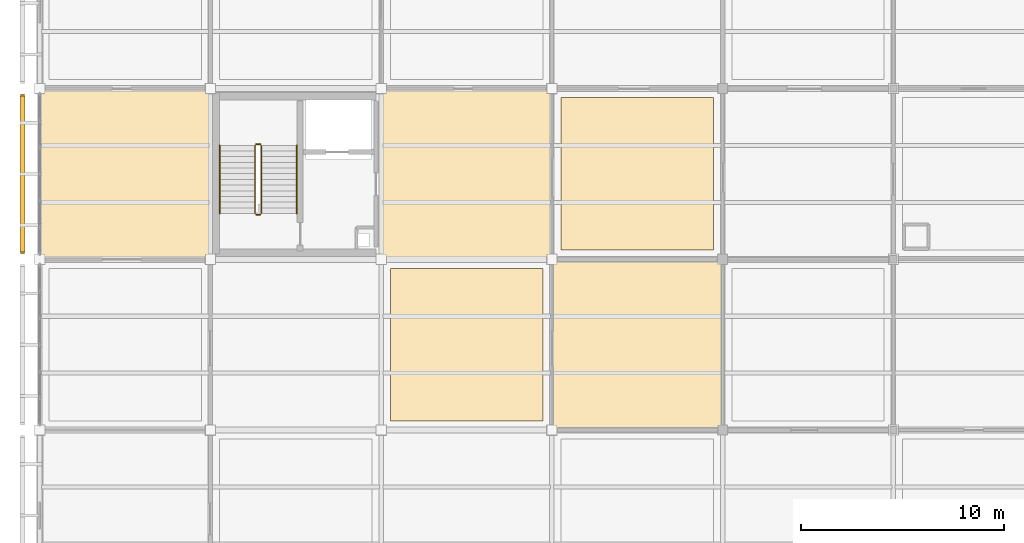
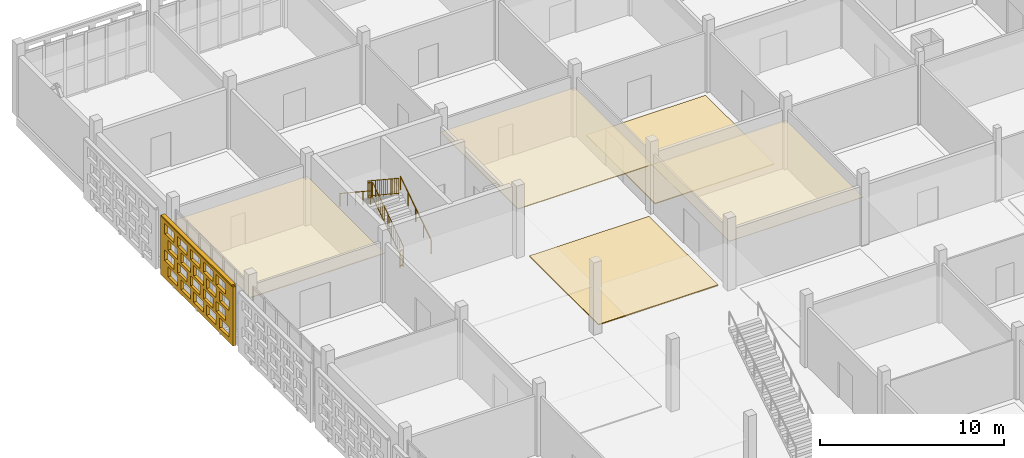
# One storey, part 162 of 203: 6 coverings, 6 railings, 1 shading device, 20 openings.
"""IFC4 building model written with IfcOpenShell, lengths in metres."""

from ifc_helpers import new_model, si_unit, direction, frame, frame_2d, origin, origin_2d, place, context, subcontext, project, spatial, rectangle, circle, extrude, material, layer, layer_set, type_object, element, save


model = new_model("IFC4")

# Units and contexts
model_context = context("Model", 3, precision=1e-05, world=origin(), true_north=direction((0.0, 1.0)))
body_context = subcontext(model_context, "Body", "Model", "MODEL_VIEW")
ifc_project = project(units=[si_unit("LENGTHUNIT", "METRE"), si_unit("AREAUNIT", "SQUARE_METRE"), si_unit("VOLUMEUNIT", "CUBIC_METRE"), si_unit("PLANEANGLEUNIT", "RADIAN"), si_unit("MASSUNIT", "GRAM", prefix="KILO")], contexts=[model_context])

# Site, building, storey
site_placement = place(None, origin())
site = spatial("IfcSite", under=ifc_project, at=site_placement, CompositionType="ELEMENT")
building_placement = place(site_placement, origin())
building = spatial("IfcBuilding", under=site, at=building_placement, Name="Varnapada Polytechnic", CompositionType="ELEMENT")
storey_placement = place(building_placement, frame((0.0, 0.0, 4.800048828125)))
storey = spatial("IfcBuildingStorey", under=building, at=storey_placement, Name="L01", CompositionType="ELEMENT", Elevation=4.800048828125)

# Coverings
ifc_material_1 = material(Name="Anti-Static Raised Laboratory Flooring")
ifc_layer_1 = layer(ifc_material_1, 0.06005859375)
ifc_layer_set_1 = layer_set([ifc_layer_1], Name="Anti-Static Raised Laboratory Flooring")
covering_type_1 = type_object("IfcCoveringType", Name="Floor Finish FLR-02", PredefinedType="FLOORING", material=ifc_layer_set_1)
covering_1_placement = place(storey_placement, frame((21.0, 96.60009765625, 0.0), z_axis=(0.0, 0.0, 1.0), x_axis=(1.0, 0.0, 0.0)))
element("IfcCovering", 1, at=covering_1_placement, inside=storey, type_object=covering_type_1, Name="L01 floor finish panel (3,12)", PredefinedType="FLOORING", context=body_context, shape_type="SweptSolid", body=[
    extrude(rectangle(XDim=7.5, YDim=7.5, at=origin_2d()), origin(), (0.0, 0.0, 1.0), 0.06005859375),
])
ifc_material_2 = material(Name="End-Grain Timber Studio Block Flooring", Category="wood")
ifc_layer_2 = layer(ifc_material_2, 0.054931640625)
ifc_layer_set_2 = layer_set([ifc_layer_2], Name="End-Grain Timber Studio Block Flooring")
covering_type_2 = type_object("IfcCoveringType", Name="Floor Finish FLR-04", PredefinedType="FLOORING", material=ifc_layer_set_2)
covering_2_placement = place(storey_placement, frame((29.39990234375, 105.0, 0.0), z_axis=(0.0, 0.0, 1.0), x_axis=(1.0, 0.0, 0.0)))
element("IfcCovering", 2, at=covering_2_placement, inside=storey, type_object=covering_type_2, Name="L01 floor finish panel (4,13)", PredefinedType="FLOORING", context=body_context, shape_type="SweptSolid", body=[
    extrude(rectangle(XDim=7.5, YDim=7.5, at=origin_2d()), origin(), (0.0, 0.0, 1.0), 0.054931640625),
])

# Railings
ifc_material_3 = material(Name="Brushed Stainless Steel 316", Category="steel")
railing_type_1 = type_object("IfcRailingType", Name="Stair Wall Handrail SHR-01", PredefinedType="HANDRAIL", material=ifc_material_3)
railing_1_placement = place(storey_placement, frame((12.64990234375, 103.050048828125, 0.1845703125)))
element("IfcRailing", 3, at=railing_1_placement, inside=storey, type_object=railing_type_1, Name="L01 ST-1 stair handrail 1", PredefinedType="HANDRAIL", context=body_context, shape_type="SweptSolid", body=[
    extrude(circle(Radius=0.02392578125, at=origin_2d()), frame((0.0, 0.0, 0.8759765625), z_axis=(0.0, 0.834858096282, 0.550465220583), x_axis=(-1.0, 0.0, 0.0)), (0.0, 0.0, 1.0), 4.0244140625),
    extrude(circle(Radius=0.02099609375, at=origin_2d()), origin(), (0.0, 0.0, 1.0), 0.851806640625),
    extrude(circle(Radius=0.02099609375, at=origin_2d()), frame((0.0, 0.83984375, 0.5537109375)), (0.0, 0.0, 1.0), 0.851806640625),
    extrude(circle(Radius=0.02099609375, at=origin_2d()), frame((0.0, 1.679931640625, 1.107666015625)), (0.0, 0.0, 1.0), 0.851806640625),
    extrude(circle(Radius=0.02099609375, at=origin_2d()), frame((0.0, 2.52001953125, 1.66162109375)), (0.0, 0.0, 1.0), 0.851806640625),
    extrude(circle(Radius=0.02099609375, at=origin_2d()), frame((0.0, 3.35986328125, 2.21533203125)), (0.0, 0.0, 1.0), 0.851806640625),
])
railing_2_placement = place(storey_placement, frame((8.85009765625, 106.409912109375, 2.58447265625)))
element("IfcRailing", 4, at=railing_2_placement, inside=storey, type_object=railing_type_1, Name="L01 ST-1 stair handrail 2", PredefinedType="HANDRAIL", context=body_context, shape_type="SweptSolid", body=[
    extrude(circle(Radius=0.02392578125, at=origin_2d()), frame((0.0, 0.0, 0.8759765625), z_axis=(0.0, -0.83483021737, 0.550507500554), x_axis=(1.0, 0.0, 0.0)), (0.0, 0.0, 1.0), 4.024658203125),
    extrude(circle(Radius=0.02099609375, at=origin_2d()), origin(), (0.0, 0.0, 1.0), 0.851806640625),
    extrude(circle(Radius=0.02099609375, at=origin_2d()), frame((0.0, -0.83984375, 0.553955078125)), (0.0, 0.0, 1.0), 0.851806640625),
    extrude(circle(Radius=0.02099609375, at=origin_2d()), frame((0.0, -1.679931640625, 1.10791015625)), (0.0, 0.0, 1.0), 0.851806640625),
    extrude(circle(Radius=0.02099609375, at=origin_2d()), frame((0.0, -2.52001953125, 1.66162109375)), (0.0, 0.0, 1.0), 0.851806640625),
    extrude(circle(Radius=0.02099609375, at=origin_2d()), frame((0.0, -3.35986328125, 2.215576171875)), (0.0, 0.0, 1.0), 0.851806640625),
])
railing_type_2 = type_object("IfcRailingType", Name="Stair Well Guard Rail SGR-01", PredefinedType="BALUSTRADE", material=ifc_material_3)
railing_3_placement = place(storey_placement, frame((10.89990234375, 103.050048828125, 0.1845703125)))
element("IfcRailing", 5, at=railing_3_placement, inside=storey, type_object=railing_type_2, Name="L01 ST-1 stair guard 1", PredefinedType="BALUSTRADE", context=body_context, shape_type="SweptSolid", body=[
    extrude(circle(Radius=0.02392578125, at=origin_2d()), frame((0.0, 0.0, 1.09619140625), z_axis=(0.0, 0.834858096282, 0.550465220583), x_axis=(-1.0, 0.0, 0.0)), (0.0, 0.0, 1.0), 4.0244140625),
    extrude(circle(Radius=0.02392578125, at=origin_2d()), frame((0.0, 0.0, 0.10009765625), z_axis=(0.0, 0.834858096282, 0.550465220583), x_axis=(-1.0, 0.0, 0.0)), (0.0, 0.0, 1.0), 4.0244140625),
    extrude(circle(Radius=0.02099609375, at=origin_2d()), origin(), (0.0, 0.0, 1.0), 1.072021484375),
    extrude(circle(Radius=0.02099609375, at=origin_2d()), frame((0.0, 0.83984375, 0.5537109375)), (0.0, 0.0, 1.0), 1.072021484375),
    extrude(circle(Radius=0.02099609375, at=origin_2d()), frame((0.0, 1.679931640625, 1.107666015625)), (0.0, 0.0, 1.0), 1.072021484375),
    extrude(circle(Radius=0.02099609375, at=origin_2d()), frame((0.0, 2.52001953125, 1.66162109375)), (0.0, 0.0, 1.0), 1.072021484375),
    extrude(circle(Radius=0.02099609375, at=origin_2d()), frame((0.0, 3.35986328125, 2.21533203125)), (0.0, 0.0, 1.0), 1.072021484375),
    extrude(circle(Radius=0.010009765625, at=origin_2d()), frame((0.0, 0.2099609375, 0.238525390625)), (0.0, 0.0, 1.0), 0.971923828125),
    extrude(circle(Radius=0.010009765625, at=origin_2d()), frame((0.0, 0.419921875, 0.376953125)), (0.0, 0.0, 1.0), 0.971923828125),
    extrude(circle(Radius=0.010009765625, at=origin_2d()), frame((0.0, 0.6298828125, 0.515380859375)), (0.0, 0.0, 1.0), 0.971923828125),
    extrude(circle(Radius=0.010009765625, at=origin_2d()), frame((0.0, 0.83984375, 0.65380859375)), (0.0, 0.0, 1.0), 0.971923828125),
    extrude(circle(Radius=0.010009765625, at=origin_2d()), frame((0.0, 1.050048828125, 0.79248046875)), (0.0, 0.0, 1.0), 0.971923828125),
    extrude(circle(Radius=0.010009765625, at=origin_2d()), frame((0.0, 1.260009765625, 0.930908203125)), (0.0, 0.0, 1.0), 0.971923828125),
    extrude(circle(Radius=0.010009765625, at=origin_2d()), frame((0.0, 1.469970703125, 1.0693359375)), (0.0, 0.0, 1.0), 0.971923828125),
    extrude(circle(Radius=0.010009765625, at=origin_2d()), frame((0.0, 1.679931640625, 1.207763671875)), (0.0, 0.0, 1.0), 0.971923828125),
    extrude(circle(Radius=0.010009765625, at=origin_2d()), frame((0.0, 1.889892578125, 1.34619140625)), (0.0, 0.0, 1.0), 0.971923828125),
    extrude(circle(Radius=0.010009765625, at=origin_2d()), frame((0.0, 2.099853515625, 1.484619140625)), (0.0, 0.0, 1.0), 0.971923828125),
    extrude(circle(Radius=0.010009765625, at=origin_2d()), frame((0.0, 2.309814453125, 1.623046875)), (0.0, 0.0, 1.0), 0.971923828125),
    extrude(circle(Radius=0.010009765625, at=origin_2d()), frame((0.0, 2.52001953125, 1.76171875)), (0.0, 0.0, 1.0), 0.971923828125),
    extrude(circle(Radius=0.010009765625, at=origin_2d()), frame((0.0, 2.72998046875, 1.900146484375)), (0.0, 0.0, 1.0), 0.971923828125),
    extrude(circle(Radius=0.010009765625, at=origin_2d()), frame((0.0, 2.93994140625, 2.03857421875)), (0.0, 0.0, 1.0), 0.971923828125),
    extrude(circle(Radius=0.010009765625, at=origin_2d()), frame((0.0, 3.14990234375, 2.177001953125)), (0.0, 0.0, 1.0), 0.971923828125),
])
railing_4_placement = place(storey_placement, frame((10.85009765625, 106.4599609375, 2.39990234375)))
element("IfcRailing", 6, at=railing_4_placement, inside=storey, type_object=railing_type_2, Name="L01 ST-1 stair guard 2", PredefinedType="BALUSTRADE", context=body_context, shape_type="SweptSolid", body=[
    extrude(circle(Radius=0.02392578125, at=origin_2d()), frame((0.0, 0.0, 1.09619140625), z_axis=(-1.0, 0.0, 0.0), x_axis=(0.0, -1.0, 0.0)), (0.0, 0.0, 1.0), 0.2001953125),
    extrude(circle(Radius=0.02392578125, at=origin_2d()), frame((0.0, 0.0, 0.10009765625), z_axis=(-1.0, 0.0, 0.0), x_axis=(0.0, -1.0, 0.0)), (0.0, 0.0, 1.0), 0.2001953125),
    extrude(circle(Radius=0.02099609375, at=origin_2d()), origin(), (0.0, 0.0, 1.0), 1.072021484375),
    extrude(circle(Radius=0.02099609375, at=origin_2d()), frame((-0.2001953125, 0.0, 0.0)), (0.0, 0.0, 1.0), 1.072021484375),
])
railing_5_placement = place(storey_placement, frame((10.60009765625, 106.409912109375, 2.58447265625)))
element("IfcRailing", 7, at=railing_5_placement, inside=storey, type_object=railing_type_2, Name="L01 ST-1 stair guard 3", PredefinedType="BALUSTRADE", context=body_context, shape_type="SweptSolid", body=[
    extrude(circle(Radius=0.02392578125, at=origin_2d()), frame((0.0, 0.0, 1.09619140625), z_axis=(0.0, -0.83483021737, 0.550507500554), x_axis=(1.0, 0.0, 0.0)), (0.0, 0.0, 1.0), 4.024658203125),
    extrude(circle(Radius=0.02392578125, at=origin_2d()), frame((0.0, 0.0, 0.10009765625), z_axis=(0.0, -0.83483021737, 0.550507500554), x_axis=(1.0, 0.0, 0.0)), (0.0, 0.0, 1.0), 4.024658203125),
    extrude(circle(Radius=0.02099609375, at=origin_2d()), origin(), (0.0, 0.0, 1.0), 1.072021484375),
    extrude(circle(Radius=0.02099609375, at=origin_2d()), frame((0.0, -0.83984375, 0.553955078125)), (0.0, 0.0, 1.0), 1.072021484375),
    extrude(circle(Radius=0.02099609375, at=origin_2d()), frame((0.0, -1.679931640625, 1.10791015625)), (0.0, 0.0, 1.0), 1.072021484375),
    extrude(circle(Radius=0.02099609375, at=origin_2d()), frame((0.0, -2.52001953125, 1.66162109375)), (0.0, 0.0, 1.0), 1.072021484375),
    extrude(circle(Radius=0.02099609375, at=origin_2d()), frame((0.0, -3.35986328125, 2.215576171875)), (0.0, 0.0, 1.0), 1.072021484375),
    extrude(circle(Radius=0.010009765625, at=origin_2d()), frame((0.0, -0.2099609375, 0.238525390625)), (0.0, 0.0, 1.0), 0.971923828125),
    extrude(circle(Radius=0.010009765625, at=origin_2d()), frame((0.0, -0.419921875, 0.376953125)), (0.0, 0.0, 1.0), 0.971923828125),
    extrude(circle(Radius=0.010009765625, at=origin_2d()), frame((0.0, -0.6298828125, 0.515625)), (0.0, 0.0, 1.0), 0.971923828125),
    extrude(circle(Radius=0.010009765625, at=origin_2d()), frame((0.0, -0.83984375, 0.654052734375)), (0.0, 0.0, 1.0), 0.971923828125),
    extrude(circle(Radius=0.010009765625, at=origin_2d()), frame((0.0, -1.050048828125, 0.79248046875)), (0.0, 0.0, 1.0), 0.971923828125),
    extrude(circle(Radius=0.010009765625, at=origin_2d()), frame((0.0, -1.260009765625, 0.930908203125)), (0.0, 0.0, 1.0), 0.971923828125),
    extrude(circle(Radius=0.010009765625, at=origin_2d()), frame((0.0, -1.469970703125, 1.0693359375)), (0.0, 0.0, 1.0), 0.971923828125),
    extrude(circle(Radius=0.010009765625, at=origin_2d()), frame((0.0, -1.679931640625, 1.2080078125)), (0.0, 0.0, 1.0), 0.971923828125),
    extrude(circle(Radius=0.010009765625, at=origin_2d()), frame((0.0, -1.889892578125, 1.346435546875)), (0.0, 0.0, 1.0), 0.971923828125),
    extrude(circle(Radius=0.010009765625, at=origin_2d()), frame((0.0, -2.099853515625, 1.48486328125)), (0.0, 0.0, 1.0), 0.971923828125),
    extrude(circle(Radius=0.010009765625, at=origin_2d()), frame((0.0, -2.309814453125, 1.623291015625)), (0.0, 0.0, 1.0), 0.971923828125),
    extrude(circle(Radius=0.010009765625, at=origin_2d()), frame((0.0, -2.52001953125, 1.76171875)), (0.0, 0.0, 1.0), 0.971923828125),
    extrude(circle(Radius=0.010009765625, at=origin_2d()), frame((0.0, -2.72998046875, 1.900146484375)), (0.0, 0.0, 1.0), 0.971923828125),
    extrude(circle(Radius=0.010009765625, at=origin_2d()), frame((0.0, -2.93994140625, 2.038818359375)), (0.0, 0.0, 1.0), 0.971923828125),
    extrude(circle(Radius=0.010009765625, at=origin_2d()), frame((0.0, -3.14990234375, 2.17724609375)), (0.0, 0.0, 1.0), 0.971923828125),
])
railing_6_placement = place(storey_placement, frame((10.85009765625, 103.0, 0.0)))
element("IfcRailing", 8, at=railing_6_placement, inside=storey, type_object=railing_type_2, Name="L01 ST-1 stair guard 4", PredefinedType="BALUSTRADE", context=body_context, shape_type="SweptSolid", body=[
    extrude(circle(Radius=0.02392578125, at=origin_2d()), frame((0.0, 0.0, 1.09619140625), z_axis=(-1.0, 0.0, 0.0), x_axis=(0.0, -1.0, 0.0)), (0.0, 0.0, 1.0), 0.2001953125),
    extrude(circle(Radius=0.02392578125, at=origin_2d()), frame((0.0, 0.0, 0.10009765625), z_axis=(-1.0, 0.0, 0.0), x_axis=(0.0, -1.0, 0.0)), (0.0, 0.0, 1.0), 0.2001953125),
    extrude(circle(Radius=0.02099609375, at=origin_2d()), origin(), (0.0, 0.0, 1.0), 1.072021484375),
    extrude(circle(Radius=0.02099609375, at=origin_2d()), frame((-0.2001953125, 0.0, 0.0)), (0.0, 0.0, 1.0), 1.072021484375),
])

# Coverings
ifc_material_4 = material(Name="Perforated Timber Slatted Baffle Ceiling", Category="wood")
ifc_layer_3 = layer(ifc_material_4, 0.050048828125)
ifc_layer_set_3 = layer_set([ifc_layer_3], Name="Perforated Timber Slatted Baffle Ceiling")
covering_type_3 = type_object("IfcCoveringType", Name="Suspended Ceiling CLG-02", PredefinedType="CEILING", material=ifc_layer_set_3)
covering_3_placement = place(storey_placement, frame((4.199951171875, 105.0, 3.02490234375), z_axis=(0.0, 0.0, 1.0), x_axis=(1.0, 0.0, 0.0)))
element("IfcCovering", 9, at=covering_3_placement, inside=storey, type_object=covering_type_3, Name="L01 suspended acoustic ceiling (1,13)", PredefinedType="CEILING", context=body_context, shape_type="SweptSolid", body=[
    extrude(rectangle(XDim=8.419921875, YDim=8.419921875, at=origin_2d()), origin(), (0.0, 0.0, 1.0), 0.050048828125),
])
ifc_material_5 = material(Name="Moisture-Resistant Aluminum Baffle Ceiling", Category="aluminium")
ifc_layer_4 = layer(ifc_material_5, 0.030029296875)
ifc_layer_set_4 = layer_set([ifc_layer_4], Name="Moisture-Resistant Aluminum Baffle Ceiling")
covering_type_4 = type_object("IfcCoveringType", Name="Suspended Ceiling CLG-03", PredefinedType="CEILING", material=ifc_layer_set_4)
covering_4_placement = place(storey_placement, frame((29.39990234375, 96.60009765625, 3.03515625), z_axis=(0.0, 0.0, 1.0), x_axis=(1.0, 0.0, 0.0)))
element("IfcCovering", 10, at=covering_4_placement, inside=storey, type_object=covering_type_4, Name="L01 suspended acoustic ceiling (4,12)", PredefinedType="CEILING", context=body_context, shape_type="SweptSolid", body=[
    extrude(rectangle(XDim=8.419921875, YDim=8.419921875, at=origin_2d()), origin(), (0.0, 0.0, 1.0), 0.030029296875),
])
ifc_material_6 = material(Name="Slatted Merbau Timber Acoustic Ceiling", Category="wood")
ifc_layer_5 = layer(ifc_material_6, 0.054931640625)
ifc_layer_set_5 = layer_set([ifc_layer_5], Name="Slatted Merbau Timber Acoustic Ceiling")
covering_type_5 = type_object("IfcCoveringType", Name="Suspended Ceiling CLG-05", PredefinedType="CEILING", material=ifc_layer_set_5)
covering_5_placement = place(storey_placement, frame((21.0, 105.0, 3.0224609375), z_axis=(0.0, 0.0, 1.0), x_axis=(1.0, 0.0, 0.0)))
element("IfcCovering", 11, at=covering_5_placement, inside=storey, type_object=covering_type_5, Name="L01 suspended acoustic ceiling (3,13)", PredefinedType="CEILING", context=body_context, shape_type="SweptSolid", body=[
    extrude(rectangle(XDim=8.419921875, YDim=8.419921875, at=origin_2d()), origin(), (0.0, 0.0, 1.0), 0.054931640625),
])

# Covering, openings
ifc_material_7 = material(Name="Earth-toned architectural terracotta screen block", Category="masonry")
ifc_layer_6 = layer(ifc_material_7, 0.1201171875)
ifc_layer_set_6 = layer_set([ifc_layer_6], Name="Earth-toned architectural terracotta screen block")
covering_type_6 = type_object("IfcCoveringType", Name="Terracotta Screen Cladding CLD-01", PredefinedType="CLADDING", material=ifc_layer_set_6)
covering_6_placement = place(storey_placement, frame((-0.85009765625, 101.06005859375, 0.0), z_axis=(0.0, 0.0, 1.0), x_axis=(0.0, 1.0, 0.0)))
covering_6 = element("IfcCovering", 12, at=covering_6_placement, inside=storey, type_object=covering_type_6, Name="L01 perforated terracotta block screen (9)", PredefinedType="CLADDING", context=body_context, shape_type="SweptSolid", body=[
    extrude(rectangle(XDim=7.8798828125, YDim=0.179931640625, at=frame_2d((3.93994140625, 0.0))), origin(), (0.0, 0.0, 1.0), 3.919921875),
])
opening_1_placement = place(covering_6_placement, frame((0.43994140625, 0.0, 0.313720703125)))
element("IfcOpeningElement", 13, at=opening_1_placement, cuts=covering_6, Name="Screen perforation TBS-L01-008.1", PredefinedType="OPENING", context=body_context, shape_type="SweptSolid", body=[
    extrude(rectangle(XDim=1.0400390625, YDim=0.679931640625, at=frame_2d((0.52001953125, 0.33984375))), frame((0.0, 0.099853515625, 0.0), z_axis=(0.0, -1.0, 0.0), x_axis=(1.0, 0.0, 0.0)), (0.0, 0.0, 1.0), 0.199951171875),
])
opening_2_placement = place(covering_6_placement, frame((1.840087890625, 0.0, 0.313720703125)))
element("IfcOpeningElement", 14, at=opening_2_placement, cuts=covering_6, Name="Screen perforation TBS-L01-008.2", PredefinedType="OPENING", context=body_context, shape_type="SweptSolid", body=[
    extrude(rectangle(XDim=1.0400390625, YDim=0.679931640625, at=frame_2d((0.52001953125, 0.33984375))), frame((0.0, 0.099853515625, 0.0), z_axis=(0.0, -1.0, 0.0), x_axis=(1.0, 0.0, 0.0)), (0.0, 0.0, 1.0), 0.199951171875),
])
opening_3_placement = place(covering_6_placement, frame((3.239990234375, 0.0, 0.313720703125)))
element("IfcOpeningElement", 15, at=opening_3_placement, cuts=covering_6, Name="Screen perforation TBS-L01-008.3", PredefinedType="OPENING", context=body_context, shape_type="SweptSolid", body=[
    extrude(rectangle(XDim=1.0400390625, YDim=0.679931640625, at=frame_2d((0.52001953125, 0.33984375))), frame((0.0, 0.099853515625, 0.0), z_axis=(0.0, -1.0, 0.0), x_axis=(1.0, 0.0, 0.0)), (0.0, 0.0, 1.0), 0.199951171875),
])
opening_4_placement = place(covering_6_placement, frame((4.639892578125, 0.0, 0.313720703125)))
element("IfcOpeningElement", 16, at=opening_4_placement, cuts=covering_6, Name="Screen perforation TBS-L01-008.4", PredefinedType="OPENING", context=body_context, shape_type="SweptSolid", body=[
    extrude(rectangle(XDim=1.0400390625, YDim=0.679931640625, at=frame_2d((0.52001953125, 0.33984375))), frame((0.0, 0.099853515625, 0.0), z_axis=(0.0, -1.0, 0.0), x_axis=(1.0, 0.0, 0.0)), (0.0, 0.0, 1.0), 0.199951171875),
])
opening_5_placement = place(covering_6_placement, frame((6.0400390625, 0.0, 0.313720703125)))
element("IfcOpeningElement", 17, at=opening_5_placement, cuts=covering_6, Name="Screen perforation TBS-L01-008.5", PredefinedType="OPENING", context=body_context, shape_type="SweptSolid", body=[
    extrude(rectangle(XDim=1.0400390625, YDim=0.679931640625, at=frame_2d((0.52001953125, 0.33984375))), frame((0.0, 0.099853515625, 0.0), z_axis=(0.0, -1.0, 0.0), x_axis=(1.0, 0.0, 0.0)), (0.0, 0.0, 1.0), 0.199951171875),
])
opening_6_placement = place(covering_6_placement, frame((0.800048828125, 0.0, 1.195556640625)))
element("IfcOpeningElement", 18, at=opening_6_placement, cuts=covering_6, Name="Screen perforation TBS-L01-008.6", PredefinedType="OPENING", context=body_context, shape_type="SweptSolid", body=[
    extrude(rectangle(XDim=1.0400390625, YDim=0.679931640625, at=frame_2d((0.52001953125, 0.33984375))), frame((0.0, 0.099853515625, 0.0), z_axis=(0.0, -1.0, 0.0), x_axis=(1.0, 0.0, 0.0)), (0.0, 0.0, 1.0), 0.199951171875),
])
opening_7_placement = place(covering_6_placement, frame((2.199951171875, 0.0, 1.195556640625)))
element("IfcOpeningElement", 19, at=opening_7_placement, cuts=covering_6, Name="Screen perforation TBS-L01-008.7", PredefinedType="OPENING", context=body_context, shape_type="SweptSolid", body=[
    extrude(rectangle(XDim=1.0400390625, YDim=0.679931640625, at=frame_2d((0.52001953125, 0.33984375))), frame((0.0, 0.099853515625, 0.0), z_axis=(0.0, -1.0, 0.0), x_axis=(1.0, 0.0, 0.0)), (0.0, 0.0, 1.0), 0.199951171875),
])
opening_8_placement = place(covering_6_placement, frame((3.60009765625, 0.0, 1.195556640625)))
element("IfcOpeningElement", 20, at=opening_8_placement, cuts=covering_6, Name="Screen perforation TBS-L01-008.8", PredefinedType="OPENING", context=body_context, shape_type="SweptSolid", body=[
    extrude(rectangle(XDim=1.0400390625, YDim=0.679931640625, at=frame_2d((0.52001953125, 0.33984375))), frame((0.0, 0.099853515625, 0.0), z_axis=(0.0, -1.0, 0.0), x_axis=(1.0, 0.0, 0.0)), (0.0, 0.0, 1.0), 0.199951171875),
])
opening_9_placement = place(covering_6_placement, frame((5.0, 0.0, 1.195556640625)))
element("IfcOpeningElement", 21, at=opening_9_placement, cuts=covering_6, Name="Screen perforation TBS-L01-008.9", PredefinedType="OPENING", context=body_context, shape_type="SweptSolid", body=[
    extrude(rectangle(XDim=1.0400390625, YDim=0.679931640625, at=frame_2d((0.52001953125, 0.33984375))), frame((0.0, 0.099853515625, 0.0), z_axis=(0.0, -1.0, 0.0), x_axis=(1.0, 0.0, 0.0)), (0.0, 0.0, 1.0), 0.199951171875),
])
opening_10_placement = place(covering_6_placement, frame((6.39990234375, 0.0, 1.195556640625)))
element("IfcOpeningElement", 22, at=opening_10_placement, cuts=covering_6, Name="Screen perforation TBS-L01-008.10", PredefinedType="OPENING", context=body_context, shape_type="SweptSolid", body=[
    extrude(rectangle(XDim=1.0400390625, YDim=0.679931640625, at=frame_2d((0.52001953125, 0.33984375))), frame((0.0, 0.099853515625, 0.0), z_axis=(0.0, -1.0, 0.0), x_axis=(1.0, 0.0, 0.0)), (0.0, 0.0, 1.0), 0.199951171875),
])
opening_11_placement = place(covering_6_placement, frame((0.43994140625, 0.0, 2.07763671875)))
element("IfcOpeningElement", 23, at=opening_11_placement, cuts=covering_6, Name="Screen perforation TBS-L01-008.11", PredefinedType="OPENING", context=body_context, shape_type="SweptSolid", body=[
    extrude(rectangle(XDim=1.0400390625, YDim=0.679931640625, at=frame_2d((0.52001953125, 0.33984375))), frame((0.0, 0.099853515625, 0.0), z_axis=(0.0, -1.0, 0.0), x_axis=(1.0, 0.0, 0.0)), (0.0, 0.0, 1.0), 0.199951171875),
])
opening_12_placement = place(covering_6_placement, frame((1.840087890625, 0.0, 2.07763671875)))
element("IfcOpeningElement", 24, at=opening_12_placement, cuts=covering_6, Name="Screen perforation TBS-L01-008.12", PredefinedType="OPENING", context=body_context, shape_type="SweptSolid", body=[
    extrude(rectangle(XDim=1.0400390625, YDim=0.679931640625, at=frame_2d((0.52001953125, 0.33984375))), frame((0.0, 0.099853515625, 0.0), z_axis=(0.0, -1.0, 0.0), x_axis=(1.0, 0.0, 0.0)), (0.0, 0.0, 1.0), 0.199951171875),
])
opening_13_placement = place(covering_6_placement, frame((3.239990234375, 0.0, 2.07763671875)))
element("IfcOpeningElement", 25, at=opening_13_placement, cuts=covering_6, Name="Screen perforation TBS-L01-008.13", PredefinedType="OPENING", context=body_context, shape_type="SweptSolid", body=[
    extrude(rectangle(XDim=1.0400390625, YDim=0.679931640625, at=frame_2d((0.52001953125, 0.33984375))), frame((0.0, 0.099853515625, 0.0), z_axis=(0.0, -1.0, 0.0), x_axis=(1.0, 0.0, 0.0)), (0.0, 0.0, 1.0), 0.199951171875),
])
opening_14_placement = place(covering_6_placement, frame((4.639892578125, 0.0, 2.07763671875)))
element("IfcOpeningElement", 26, at=opening_14_placement, cuts=covering_6, Name="Screen perforation TBS-L01-008.14", PredefinedType="OPENING", context=body_context, shape_type="SweptSolid", body=[
    extrude(rectangle(XDim=1.0400390625, YDim=0.679931640625, at=frame_2d((0.52001953125, 0.33984375))), frame((0.0, 0.099853515625, 0.0), z_axis=(0.0, -1.0, 0.0), x_axis=(1.0, 0.0, 0.0)), (0.0, 0.0, 1.0), 0.199951171875),
])
opening_15_placement = place(covering_6_placement, frame((6.0400390625, 0.0, 2.07763671875)))
element("IfcOpeningElement", 27, at=opening_15_placement, cuts=covering_6, Name="Screen perforation TBS-L01-008.15", PredefinedType="OPENING", context=body_context, shape_type="SweptSolid", body=[
    extrude(rectangle(XDim=1.0400390625, YDim=0.679931640625, at=frame_2d((0.52001953125, 0.33984375))), frame((0.0, 0.099853515625, 0.0), z_axis=(0.0, -1.0, 0.0), x_axis=(1.0, 0.0, 0.0)), (0.0, 0.0, 1.0), 0.199951171875),
])
opening_16_placement = place(covering_6_placement, frame((0.800048828125, 0.0, 2.959716796875)))
element("IfcOpeningElement", 28, at=opening_16_placement, cuts=covering_6, Name="Screen perforation TBS-L01-008.16", PredefinedType="OPENING", context=body_context, shape_type="SweptSolid", body=[
    extrude(rectangle(XDim=1.0400390625, YDim=0.679931640625, at=frame_2d((0.52001953125, 0.33984375))), frame((0.0, 0.099853515625, 0.0), z_axis=(0.0, -1.0, 0.0), x_axis=(1.0, 0.0, 0.0)), (0.0, 0.0, 1.0), 0.199951171875),
])
opening_17_placement = place(covering_6_placement, frame((2.199951171875, 0.0, 2.959716796875)))
element("IfcOpeningElement", 29, at=opening_17_placement, cuts=covering_6, Name="Screen perforation TBS-L01-008.17", PredefinedType="OPENING", context=body_context, shape_type="SweptSolid", body=[
    extrude(rectangle(XDim=1.0400390625, YDim=0.679931640625, at=frame_2d((0.52001953125, 0.33984375))), frame((0.0, 0.099853515625, 0.0), z_axis=(0.0, -1.0, 0.0), x_axis=(1.0, 0.0, 0.0)), (0.0, 0.0, 1.0), 0.199951171875),
])
opening_18_placement = place(covering_6_placement, frame((3.60009765625, 0.0, 2.959716796875)))
element("IfcOpeningElement", 30, at=opening_18_placement, cuts=covering_6, Name="Screen perforation TBS-L01-008.18", PredefinedType="OPENING", context=body_context, shape_type="SweptSolid", body=[
    extrude(rectangle(XDim=1.0400390625, YDim=0.679931640625, at=frame_2d((0.52001953125, 0.33984375))), frame((0.0, 0.099853515625, 0.0), z_axis=(0.0, -1.0, 0.0), x_axis=(1.0, 0.0, 0.0)), (0.0, 0.0, 1.0), 0.199951171875),
])
opening_19_placement = place(covering_6_placement, frame((5.0, 0.0, 2.959716796875)))
element("IfcOpeningElement", 31, at=opening_19_placement, cuts=covering_6, Name="Screen perforation TBS-L01-008.19", PredefinedType="OPENING", context=body_context, shape_type="SweptSolid", body=[
    extrude(rectangle(XDim=1.0400390625, YDim=0.679931640625, at=frame_2d((0.52001953125, 0.33984375))), frame((0.0, 0.099853515625, 0.0), z_axis=(0.0, -1.0, 0.0), x_axis=(1.0, 0.0, 0.0)), (0.0, 0.0, 1.0), 0.199951171875),
])
opening_20_placement = place(covering_6_placement, frame((6.39990234375, 0.0, 2.959716796875)))
element("IfcOpeningElement", 32, at=opening_20_placement, cuts=covering_6, Name="Screen perforation TBS-L01-008.20", PredefinedType="OPENING", context=body_context, shape_type="SweptSolid", body=[
    extrude(rectangle(XDim=1.0400390625, YDim=0.679931640625, at=frame_2d((0.52001953125, 0.33984375))), frame((0.0, 0.099853515625, 0.0), z_axis=(0.0, -1.0, 0.0), x_axis=(1.0, 0.0, 0.0)), (0.0, 0.0, 1.0), 0.199951171875),
])

# Shading device
ifc_layer_7 = layer(ifc_material_7, 0.179931640625)
ifc_layer_set_7 = layer_set([ifc_layer_7], Name="Earth-toned architectural terracotta screen block")
shading_device_type = type_object("IfcShadingDeviceType", Name="Terracotta Screen SCR-02", PredefinedType="USERDEFINED", material=ifc_layer_set_7)
shading_device_placement = place(storey_placement, frame((-0.85009765625, 105.0, 3.909912109375), z_axis=(0.0, 0.0, 1.0), x_axis=(0.0, 1.0, 0.0)))
element("IfcShadingDevice", 33, at=shading_device_placement, inside=storey, type_object=shading_device_type, Name="L01 perforated terracotta screen hood 92", ObjectType="SCREEN", PredefinedType="USERDEFINED", context=body_context, shape_type="SweptSolid", body=[
    extrude(rectangle(XDim=7.679931640625, YDim=0.239990234375, at=origin_2d()), origin(), (0.0, 0.0, 1.0), 0.10009765625),
])

save(model, "model.ifc")
